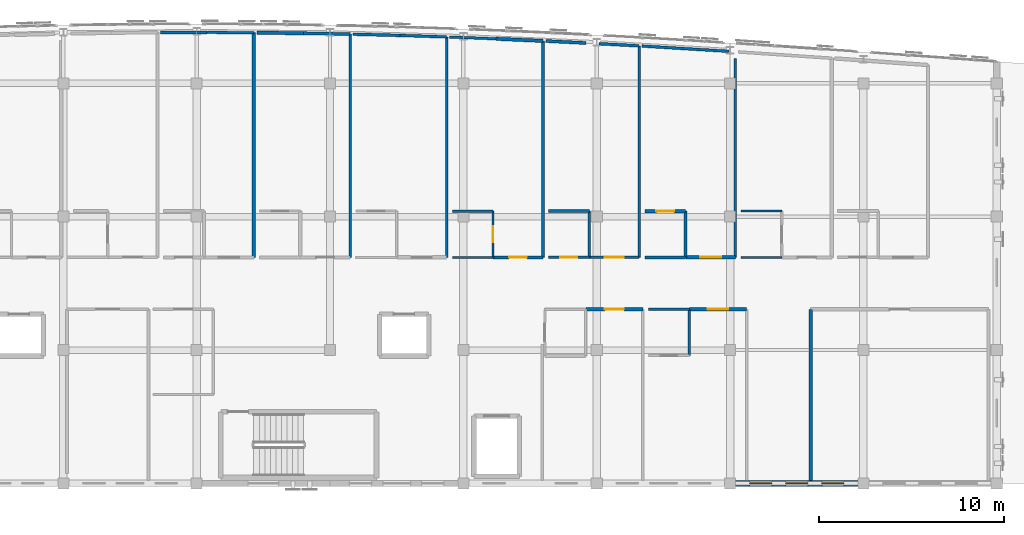
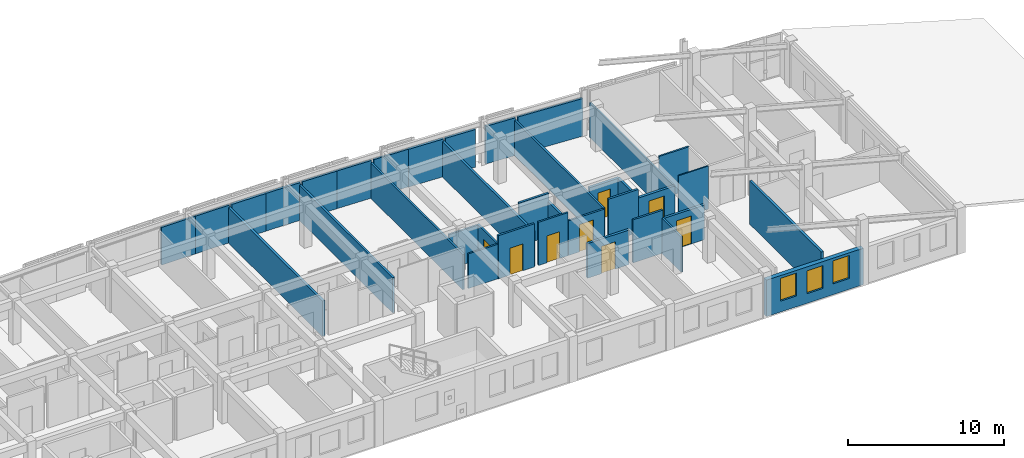
# One storey, part 36 of 41: 37 walls, 8 doors, 3 windows, 11 openings.
"""IFC4 building model written with IfcOpenShell, lengths in metres."""

from ifc_helpers import new_model, si_unit, direction, frame, frame_2d, origin, place, context, subcontext, project, spatial, rectangle, extrude, material, layer, layer_set, type_object, element, fill, save


model = new_model("IFC4")

# Units and contexts
model_context = context("Model", 3, precision=1e-05, world=origin(), true_north=direction((0.0, 1.0)))
body_context = subcontext(model_context, "Body", "Model", "MODEL_VIEW")
ifc_project = project(units=[si_unit("LENGTHUNIT", "METRE"), si_unit("AREAUNIT", "SQUARE_METRE"), si_unit("VOLUMEUNIT", "CUBIC_METRE"), si_unit("PLANEANGLEUNIT", "RADIAN"), si_unit("MASSUNIT", "GRAM", prefix="KILO")], contexts=[model_context])

# Site, building, storey
site_placement = place(None, origin())
site = spatial("IfcSite", under=ifc_project, at=site_placement, CompositionType="ELEMENT")
building_placement = place(site_placement, origin())
building = spatial("IfcBuilding", under=site, at=building_placement, Name="Carrowvane Square Congress Hotel", CompositionType="ELEMENT")
storey_placement = place(building_placement, frame((0.0, 0.0, 37.199951171875)))
storey = spatial("IfcBuildingStorey", under=building, at=storey_placement, Name="L09", CompositionType="ELEMENT", Elevation=37.199951171875)

# Wall, openings, windows
ifc_material_1 = material(Name="Glazed terracotta rainscreen", Category="masonry")
ifc_layer_1 = layer(ifc_material_1, 0.330078125)
ifc_layer_set_1 = layer_set([ifc_layer_1], Name="Glazed terracotta rainscreen")
wall_type_1 = type_object("IfcWallType", Name="WL-EXT-TC330", PredefinedType="STANDARD", material=ifc_layer_set_1)
wall_1_placement = place(storey_placement, frame((134.0, 91.800048828125, 0.0), z_axis=(0.0, 0.0, 1.0), x_axis=(-1.0, 0.0, 0.0)))
wall_1 = element("IfcWall", 1, at=wall_1_placement, inside=storey, type_object=wall_type_1, Name="L09 exterior facade wall 566", PredefinedType="STANDARD", context=body_context, shape_type="SweptSolid", body=[
    extrude(rectangle(XDim=7.199951171875, YDim=0.330078125, at=frame_2d((3.60009765625, 0.0))), origin(), (0.0, 0.0, 1.0), 2.8603515625),
])
opening_1_placement = place(wall_1_placement, frame((3.0, 0.0, 0.75)))
opening_1 = element("IfcOpeningElement", 2, at=opening_1_placement, cuts=wall_1, Name="Opening W-01", PredefinedType="OPENING", context=body_context, shape_type="SweptSolid", body=[
    extrude(rectangle(XDim=1.199951171875, YDim=1.800048828125, at=frame_2d((0.60009765625, 0.89990234375))), frame((0.0, 0.175048828125, 0.0), z_axis=(0.0, -1.0, 0.0), x_axis=(1.0, 0.0, 0.0)), (0.0, 0.0, 1.0), 0.35009765625),
])
opening_2_placement = place(wall_1_placement, frame((1.050048828125, 0.0, 0.85009765625)))
opening_2 = element("IfcOpeningElement", 3, at=opening_2_placement, cuts=wall_1, Name="Opening W-01", PredefinedType="OPENING", context=body_context, shape_type="SweptSolid", body=[
    extrude(rectangle(XDim=1.199951171875, YDim=1.800048828125, at=frame_2d((0.60009765625, 0.89990234375))), frame((0.0, 0.175048828125, 0.0), z_axis=(0.0, -1.0, 0.0), x_axis=(1.0, 0.0, 0.0)), (0.0, 0.0, 1.0), 0.35009765625),
])
opening_3_placement = place(wall_1_placement, frame((4.949951171875, 0.0, 0.85009765625)))
opening_3 = element("IfcOpeningElement", 4, at=opening_3_placement, cuts=wall_1, Name="Opening W-01", PredefinedType="OPENING", context=body_context, shape_type="SweptSolid", body=[
    extrude(rectangle(XDim=1.199951171875, YDim=1.800048828125, at=frame_2d((0.60009765625, 0.89990234375))), frame((0.0, 0.175048828125, 0.0), z_axis=(0.0, -1.0, 0.0), x_axis=(1.0, 0.0, 0.0)), (0.0, 0.0, 1.0), 0.35009765625),
])
ifc_material_2 = material(Name="Double-glazed low-E glass", Category="glass")
window_type = type_object("IfcWindowType", Name="WIN-01", PartitioningType="SINGLE_PANEL", PredefinedType="WINDOW", material=ifc_material_2)
window_1_placement = place(opening_1_placement, origin())
window_1 = element("IfcWindow", 5, at=window_1_placement, inside=storey, type_object=window_type, Name="L09 facade window 414", OverallHeight=1.800048828125, OverallWidth=1.199951171875, PartitioningType="SINGLE_PANEL", PredefinedType="WINDOW", context=body_context, shape_type="SweptSolid", body=[
    extrude(rectangle(XDim=1.199951171875, YDim=1.800048828125, at=frame_2d((0.60009765625, 0.89990234375))), frame((0.0, 0.030029296875, 0.0), z_axis=(0.0, -1.0, 0.0), x_axis=(1.0, 0.0, 0.0)), (0.0, 0.0, 1.0), 0.06005859375),
])
fill(opening_1, window_1)
window_2_placement = place(opening_2_placement, origin())
window_2 = element("IfcWindow", 6, at=window_2_placement, inside=storey, type_object=window_type, Name="L09 guest bedroom window 415", OverallHeight=1.800048828125, OverallWidth=1.199951171875, PartitioningType="SINGLE_PANEL", PredefinedType="WINDOW", context=body_context, shape_type="SweptSolid", body=[
    extrude(rectangle(XDim=1.199951171875, YDim=1.800048828125, at=frame_2d((0.60009765625, 0.89990234375))), frame((0.0, 0.030029296875, 0.0), z_axis=(0.0, -1.0, 0.0), x_axis=(1.0, 0.0, 0.0)), (0.0, 0.0, 1.0), 0.06005859375),
])
fill(opening_2, window_2)
window_3_placement = place(opening_3_placement, origin())
window_3 = element("IfcWindow", 7, at=window_3_placement, inside=storey, type_object=window_type, Name="L09 guest bedroom window 416", OverallHeight=1.800048828125, OverallWidth=1.199951171875, PartitioningType="SINGLE_PANEL", PredefinedType="WINDOW", context=body_context, shape_type="SweptSolid", body=[
    extrude(rectangle(XDim=1.199951171875, YDim=1.800048828125, at=frame_2d((0.60009765625, 0.89990234375))), frame((0.0, 0.030029296875, 0.0), z_axis=(0.0, -1.0, 0.0), x_axis=(1.0, 0.0, 0.0)), (0.0, 0.0, 1.0), 0.06005859375),
])
fill(opening_3, window_3)

# Walls
ifc_material_3 = material(Name="Acoustic gypsum board", Category="gypsum")
ifc_layer_2 = layer(ifc_material_3, 0.155029296875)
ifc_layer_set_2 = layer_set([ifc_layer_2], Name="Acoustic gypsum board")
wall_type_2 = type_object("IfcWallType", Name="WL-FIR-155", PredefinedType="PARTITIONING", material=ifc_layer_set_2)
wall_2_placement = place(storey_placement, frame((106.2900390625, 116.05517578125, 0.0), z_axis=(0.0, 0.0, 1.0), x_axis=(0.0, -1.0, 0.0)))
element("IfcWall", 8, at=wall_2_placement, inside=storey, type_object=wall_type_2, Name="L09 Parkview Guest Bedroom 0917 partition", PredefinedType="PARTITIONING", context=body_context, shape_type="SweptSolid", body=[
    extrude(rectangle(XDim=12.05517578125, YDim=0.155029296875, at=frame_2d((6.027587890625, 0.0))), origin(), (0.0, 0.0, 1.0), 2.76513671875),
])
wall_3_placement = place(storey_placement, frame((106.449951171875, 116.051513671875, 0.0), z_axis=(0.0, 0.0, 1.0), x_axis=(0.99966561488, -0.025858430457, 0.0)))
element("IfcWall", 9, at=wall_3_placement, inside=storey, type_object=wall_type_2, Name="L09 Parkview Guest Bedroom 0918 partition", PredefinedType="PARTITIONING", context=body_context, shape_type="SweptSolid", body=[
    extrude(rectangle(XDim=2.520751953125, YDim=0.155029296875, at=frame_2d((1.26025390625, 0.0))), origin(), (0.0, 0.0, 1.0), 2.95556640625),
])

# Wall, opening, door
wall_4_placement = place(storey_placement, frame((116.68994140625, 104.0, 0.0), z_axis=(0.0, 0.0, 1.0), x_axis=(-1.0, 0.0, 0.0)))
wall_4 = element("IfcWall", 10, at=wall_4_placement, inside=storey, type_object=wall_type_2, Name="L09 Parkview Guest Bedroom 0919 partition", PredefinedType="PARTITIONING", context=body_context, shape_type="SweptSolid", body=[
    extrude(rectangle(XDim=2.679931640625, YDim=0.155029296875, at=frame_2d((1.33984375, 0.0))), origin(), (0.0, 0.0, 1.0), 3.380126953125),
])
opening_4_placement = place(wall_4_placement, frame((0.864990234375, 0.0, 0.0)))
opening_4 = element("IfcOpeningElement", 11, at=opening_4_placement, cuts=wall_4, Name="Opening FD-06", PredefinedType="OPENING", context=body_context, shape_type="SweptSolid", body=[
    extrude(rectangle(XDim=0.949951171875, YDim=2.10009765625, at=frame_2d((0.47509765625, 1.050048828125))), frame((0.0, 0.08740234375, 0.0), z_axis=(0.0, -1.0, 0.0), x_axis=(1.0, 0.0, 0.0)), (0.0, 0.0, 1.0), 0.175048828125),
])
ifc_material_4 = material(Name="European oak timber", Category="wood")
door_type_1 = type_object("IfcDoorType", Name="DR-FD30-0950x2100", OperationType="NOTDEFINED", PredefinedType="DOOR", material=ifc_material_4)
door_1_placement = place(opening_4_placement, origin())
door_1 = element("IfcDoor", 12, at=door_1_placement, inside=storey, type_object=door_type_1, Name="L09 Parkview Guest Bedroom 0919 entrance door", OperationType="SINGLE_SWING_RIGHT", OverallHeight=2.10009765625, OverallWidth=0.949951171875, PredefinedType="DOOR", context=body_context, shape_type="SweptSolid", body=[
    extrude(rectangle(XDim=0.949951171875, YDim=2.10009765625, at=frame_2d((0.47509765625, 1.050048828125))), frame((0.0, 0.02490234375, 0.0), z_axis=(0.0, -1.0, 0.0), x_axis=(1.0, 0.0, 0.0)), (0.0, 0.0, 1.0), 0.050048828125),
])
fill(opening_4, door_1)

# Walls
wall_5_placement = place(storey_placement, frame((117.0, 106.5, 0.0), z_axis=(0.0, 0.0, 1.0), x_axis=(1.0, 0.0, 0.0)))
element("IfcWall", 13, at=wall_5_placement, inside=storey, type_object=wall_type_2, Name="L09 En-suite Bathroom 0920 partition", PredefinedType="PARTITIONING", context=body_context, shape_type="SweptSolid", body=[
    extrude(rectangle(XDim=2.199951171875, YDim=0.155029296875, at=frame_2d((1.10009765625, 0.0))), origin(), (0.0, 0.0, 1.0), 3.380126953125),
])
wall_6_placement = place(storey_placement, frame((119.7294921875, 115.53955078125, 0.0), z_axis=(0.0, 0.0, 1.0), x_axis=(0.99851983335, -0.054388807738, 0.0)))
element("IfcWall", 14, at=wall_6_placement, inside=storey, type_object=wall_type_2, Name="L09 Parkview Guest Bedroom 0920 partition", PredefinedType="PARTITIONING", context=body_context, shape_type="SweptSolid", body=[
    extrude(rectangle(XDim=2.16357421875, YDim=0.155029296875, at=frame_2d((1.081787109375, 0.0))), origin(), (0.0, 0.0, 1.0), 2.95556640625),
])
wall_7_placement = place(storey_placement, frame((124.39990234375, 104.0, 0.0), z_axis=(0.0, 0.0, 1.0), x_axis=(-1.0, 0.0, 0.0)))
element("IfcWall", 15, at=wall_7_placement, inside=storey, type_object=wall_type_2, Name="L09 En-suite Bathroom 0921 partition", PredefinedType="PARTITIONING", context=body_context, shape_type="SweptSolid", body=[
    extrude(rectangle(XDim=2.199951171875, YDim=0.155029296875, at=frame_2d((1.10009765625, 0.0))), origin(), (0.0, 0.0, 1.0), 3.380126953125),
])
ifc_material_5 = material(Name="Acoustic gypsum board", Category="gypsum")
ifc_layer_3 = layer(ifc_material_5, 0.169921875)
ifc_layer_set_3 = layer_set([ifc_layer_3], Name="Acoustic gypsum board")
wall_type_3 = type_object("IfcWallType", Name="WL-FIR-170", PredefinedType="PARTITIONING", material=ifc_layer_set_3)
wall_8_placement = place(storey_placement, frame((103.77001953125, 116.10302734375, 0.0), z_axis=(0.0, 0.0, 1.0), x_axis=(0.999819765879, -0.018985145719, 0.0)))
element("IfcWall", 16, at=wall_8_placement, inside=storey, type_object=wall_type_3, Name="L09 Parkview Guest Bedroom 0917 partition", PredefinedType="PARTITIONING", context=body_context, shape_type="SweptSolid", body=[
    extrude(rectangle(XDim=2.5205078125, YDim=0.169921875, at=frame_2d((1.26025390625, 0.0))), origin(), (0.0, 0.0, 1.0), 2.95556640625),
])
wall_9_placement = place(storey_placement, frame((116.68994140625, 115.691650390625, 0.0), z_axis=(0.0, 0.0, 1.0), x_axis=(0.0, -1.0, 0.0)))
element("IfcWall", 17, at=wall_9_placement, inside=storey, type_object=wall_type_3, Name="L09 Parkview Guest Bedroom 0919 partition", PredefinedType="PARTITIONING", context=body_context, shape_type="SweptSolid", body=[
    extrude(rectangle(XDim=11.691650390625, YDim=0.169921875, at=frame_2d((5.845703125, 0.0))), origin(), (0.0, 0.0, 1.0), 2.76513671875),
])
wall_10_placement = place(storey_placement, frame((116.85009765625, 115.684326171875, 0.0), z_axis=(0.0, 0.0, 1.0), x_axis=(0.998771684577, -0.049549188556, 0.0)))
element("IfcWall", 18, at=wall_10_placement, inside=storey, type_object=wall_type_3, Name="L09 Parkview Guest Bedroom 0920 partition", PredefinedType="PARTITIONING", context=body_context, shape_type="SweptSolid", body=[
    extrude(rectangle(XDim=2.1630859375, YDim=0.169921875, at=frame_2d((1.08154296875, 0.0))), origin(), (0.0, 0.0, 1.0), 2.95556640625),
])
wall_11_placement = place(storey_placement, frame((124.39990234375, 106.5, 0.0), z_axis=(0.0, 0.0, 1.0), x_axis=(0.0, -1.0, 0.0)))
element("IfcWall", 19, at=wall_11_placement, inside=storey, type_object=wall_type_3, Name="L09 En-suite Bathroom 0921 partition", PredefinedType="PARTITIONING", context=body_context, shape_type="SweptSolid", body=[
    extrude(rectangle(XDim=2.5, YDim=0.169921875, at=frame_2d((1.25, 0.0))), origin(), (0.0, 0.0, 1.0), 2.76513671875),
])
ifc_material_6 = material(Name="Acoustic gypsum board", Category="gypsum")
ifc_layer_4 = layer(ifc_material_6, 0.18505859375)
ifc_layer_set_4 = layer_set([ifc_layer_4], Name="Acoustic gypsum board")
wall_type_4 = type_object("IfcWallType", Name="WL-FIR-185", PredefinedType="PARTITIONING", material=ifc_layer_set_4)
wall_12_placement = place(storey_placement, frame((131.14990234375, 91.9599609375, 0.0), z_axis=(0.0, 0.0, 1.0), x_axis=(0.0, 1.0, 0.0)))
element("IfcWall", 20, at=wall_12_placement, inside=storey, type_object=wall_type_4, Name="L09 L09 East Terrace Bar partition", PredefinedType="PARTITIONING", context=body_context, shape_type="SweptSolid", body=[
    extrude(rectangle(XDim=9.239990234375, YDim=0.18505859375, at=frame_2d((4.6201171875, 0.0))), origin(), (0.0, 0.0, 1.0), 3.380126953125),
])

# Wall, opening, door
wall_13_placement = place(storey_placement, frame((119.010009765625, 101.199951171875, 0.0), z_axis=(0.0, 0.0, 1.0), x_axis=(1.0, 0.0, 0.0)))
wall_13 = element("IfcWall", 21, at=wall_13_placement, inside=storey, type_object=wall_type_4, Name="L09 Hotel Suite 0905 partition", PredefinedType="PARTITIONING", context=body_context, shape_type="SweptSolid", body=[
    extrude(rectangle(XDim=3.080078125, YDim=0.18505859375, at=frame_2d((1.5400390625, 0.0))), origin(), (0.0, 0.0, 1.0), 2.715087890625),
])
opening_5_placement = place(wall_13_placement, frame((1.030029296875, 0.0, 0.0)))
opening_5 = element("IfcOpeningElement", 22, at=opening_5_placement, cuts=wall_13, Name="Opening FD-08", PredefinedType="OPENING", context=body_context, shape_type="SweptSolid", body=[
    extrude(rectangle(XDim=1.02001953125, YDim=2.14990234375, at=frame_2d((0.510009765625, 1.074951171875))), frame((0.0, 0.1025390625, 0.0), z_axis=(0.0, -1.0, 0.0), x_axis=(1.0, 0.0, 0.0)), (0.0, 0.0, 1.0), 0.205078125),
])
ifc_material_7 = material(Name="European oak timber", Category="wood")
door_type_2 = type_object("IfcDoorType", Name="DR-FD30-1020x2150", OperationType="NOTDEFINED", PredefinedType="DOOR", material=ifc_material_7)
door_2_placement = place(opening_5_placement, origin())
door_2 = element("IfcDoor", 23, at=door_2_placement, inside=storey, type_object=door_type_2, Name="L09 Hotel Suite 0905 entrance door", OperationType="SINGLE_SWING_RIGHT", OverallHeight=2.14990234375, OverallWidth=1.02001953125, PredefinedType="DOOR", context=body_context, shape_type="SweptSolid", body=[
    extrude(rectangle(XDim=1.02001953125, YDim=2.14990234375, at=frame_2d((0.510009765625, 1.074951171875))), frame((0.0, 0.02490234375, 0.0), z_axis=(0.0, -1.0, 0.0), x_axis=(1.0, 0.0, 0.0)), (0.0, 0.0, 1.0), 0.050048828125),
])
fill(opening_5, door_2)

wall_14_placement = place(storey_placement, frame((124.610107421875, 101.199951171875, 0.0), z_axis=(0.0, 0.0, 1.0), x_axis=(1.0, 0.0, 0.0)))
wall_14 = element("IfcWall", 24, at=wall_14_placement, inside=storey, type_object=wall_type_4, Name="L09 Hotel Suite 0906 partition", PredefinedType="PARTITIONING", context=body_context, shape_type="SweptSolid", body=[
    extrude(rectangle(XDim=3.079833984375, YDim=0.18505859375, at=frame_2d((1.5400390625, 0.0))), origin(), (0.0, 0.0, 1.0), 2.715087890625),
])
opening_6_placement = place(wall_14_placement, frame((0.97998046875, 0.0, 0.0)))
opening_6 = element("IfcOpeningElement", 25, at=opening_6_placement, cuts=wall_14, Name="Opening FD-10", PredefinedType="OPENING", context=body_context, shape_type="SweptSolid", body=[
    extrude(rectangle(XDim=1.1201171875, YDim=2.199951171875, at=frame_2d((0.56005859375, 1.10009765625))), frame((0.0, 0.1025390625, 0.0), z_axis=(0.0, -1.0, 0.0), x_axis=(1.0, 0.0, 0.0)), (0.0, 0.0, 1.0), 0.205078125),
])
ifc_material_8 = material(Name="European oak timber", Category="wood")
door_type_3 = type_object("IfcDoorType", Name="DR-FD30-1120x2200", OperationType="NOTDEFINED", PredefinedType="DOOR", material=ifc_material_8)
door_3_placement = place(opening_6_placement, origin())
door_3 = element("IfcDoor", 26, at=door_3_placement, inside=storey, type_object=door_type_3, Name="L09 Hotel Suite 0906 entrance door", OperationType="SINGLE_SWING_RIGHT", OverallHeight=2.199951171875, OverallWidth=1.1201171875, PredefinedType="DOOR", context=body_context, shape_type="SweptSolid", body=[
    extrude(rectangle(XDim=1.1201171875, YDim=2.199951171875, at=frame_2d((0.56005859375, 1.10009765625))), frame((0.0, 0.02490234375, 0.0), z_axis=(0.0, -1.0, 0.0), x_axis=(1.0, 0.0, 0.0)), (0.0, 0.0, 1.0), 0.050048828125),
])
fill(opening_6, door_3)

# Walls
wall_15_placement = place(storey_placement, frame((101.090087890625, 116.135498046875, 0.0), z_axis=(0.0, 0.0, 1.0), x_axis=(0.0, -1.0, 0.0)))
element("IfcWall", 27, at=wall_15_placement, inside=storey, type_object=wall_type_4, Name="L09 Parkview Guest Bedroom 0916 partition", PredefinedType="PARTITIONING", context=body_context, shape_type="SweptSolid", body=[
    extrude(rectangle(XDim=12.135498046875, YDim=0.18505859375, at=frame_2d((6.06787109375, 0.0))), origin(), (0.0, 0.0, 1.0), 2.76513671875),
])
wall_16_placement = place(storey_placement, frame((101.25, 116.1337890625, 0.0), z_axis=(0.0, 0.0, 1.0), x_axis=(0.999925503674, -0.012206027268, 0.0)))
element("IfcWall", 28, at=wall_16_placement, inside=storey, type_object=wall_type_4, Name="L09 Parkview Guest Bedroom 0917 partition", PredefinedType="PARTITIONING", context=body_context, shape_type="SweptSolid", body=[
    extrude(rectangle(XDim=2.520263671875, YDim=0.18505859375, at=frame_2d((1.26025390625, 0.0))), origin(), (0.0, 0.0, 1.0), 2.95556640625),
])
wall_17_placement = place(storey_placement, frame((114.169921875, 115.802978515625, 0.0), z_axis=(0.0, 0.0, 1.0), x_axis=(0.999025600943, -0.044134438484, 0.0)))
element("IfcWall", 29, at=wall_17_placement, inside=storey, type_object=wall_type_4, Name="L09 Parkview Guest Bedroom 0919 partition", PredefinedType="PARTITIONING", context=body_context, shape_type="SweptSolid", body=[
    extrude(rectangle(XDim=2.5224609375, YDim=0.18505859375, at=frame_2d((1.26123046875, 0.0))), origin(), (0.0, 0.0, 1.0), 2.95556640625),
])

# Wall, opening, door
wall_18_placement = place(storey_placement, frame((122.199951171875, 106.5, 0.0), z_axis=(0.0, 0.0, 1.0), x_axis=(1.0, 0.0, 0.0)))
wall_18 = element("IfcWall", 30, at=wall_18_placement, inside=storey, type_object=wall_type_4, Name="L09 En-suite Bathroom 0921 partition", PredefinedType="PARTITIONING", context=body_context, shape_type="SweptSolid", body=[
    extrude(rectangle(XDim=2.199951171875, YDim=0.18505859375, at=frame_2d((1.10009765625, 0.0))), origin(), (0.0, 0.0, 1.0), 2.76513671875),
])
opening_7_placement = place(wall_18_placement, frame((0.6201171875, 0.0, 0.0)))
opening_7 = element("IfcOpeningElement", 31, at=opening_7_placement, cuts=wall_18, Name="Opening ID-05", PredefinedType="OPENING", context=body_context, shape_type="SweptSolid", body=[
    extrude(rectangle(XDim=0.9599609375, YDim=2.139892578125, at=frame_2d((0.47998046875, 1.06982421875))), frame((0.0, 0.1025390625, 0.0), z_axis=(0.0, -1.0, 0.0), x_axis=(1.0, 0.0, 0.0)), (0.0, 0.0, 1.0), 0.205078125),
])
ifc_material_9 = material(Name="European oak timber", Category="wood")
door_type_4 = type_object("IfcDoorType", Name="DR-INT-0960x2140", OperationType="NOTDEFINED", PredefinedType="DOOR", material=ifc_material_9)
door_4_placement = place(opening_7_placement, origin())
door_4 = element("IfcDoor", 32, at=door_4_placement, inside=storey, type_object=door_type_4, Name="L09 En-suite Bathroom 0921 door", OperationType="SINGLE_SWING_LEFT", OverallHeight=2.139892578125, OverallWidth=0.9599609375, PredefinedType="DOOR", context=body_context, shape_type="SweptSolid", body=[
    extrude(rectangle(XDim=0.9599609375, YDim=2.139892578125, at=frame_2d((0.47998046875, 1.06982421875))), frame((0.0, 0.02490234375, 0.0), z_axis=(0.0, -1.0, 0.0), x_axis=(1.0, 0.0, 0.0)), (0.0, 0.0, 1.0), 0.050048828125),
])
fill(opening_7, door_4)

wall_19_placement = place(storey_placement, frame((127.090087890625, 104.0, 0.0), z_axis=(0.0, 0.0, 1.0), x_axis=(-1.0, 0.0, 0.0)))
wall_19 = element("IfcWall", 33, at=wall_19_placement, inside=storey, type_object=wall_type_4, Name="L09 Parkview Guest Bedroom 0921 partition", PredefinedType="PARTITIONING", context=body_context, shape_type="SweptSolid", body=[
    extrude(rectangle(XDim=2.68017578125, YDim=0.18505859375, at=frame_2d((1.340087890625, 0.0))), origin(), (0.0, 0.0, 1.0), 2.715087890625),
])
opening_8_placement = place(wall_19_placement, frame((0.780029296875, 0.0, 0.0)))
opening_8 = element("IfcOpeningElement", 34, at=opening_8_placement, cuts=wall_19, Name="Opening FD-10", PredefinedType="OPENING", context=body_context, shape_type="SweptSolid", body=[
    extrude(rectangle(XDim=1.1201171875, YDim=2.199951171875, at=frame_2d((0.56005859375, 1.10009765625))), frame((0.0, 0.1025390625, 0.0), z_axis=(0.0, -1.0, 0.0), x_axis=(1.0, 0.0, 0.0)), (0.0, 0.0, 1.0), 0.205078125),
])
door_5_placement = place(opening_8_placement, origin())
door_5 = element("IfcDoor", 35, at=door_5_placement, inside=storey, type_object=door_type_3, Name="L09 Parkview Guest Bedroom 0921 entrance door", OperationType="SINGLE_SWING_RIGHT", OverallHeight=2.199951171875, OverallWidth=1.1201171875, PredefinedType="DOOR", context=body_context, shape_type="SweptSolid", body=[
    extrude(rectangle(XDim=1.1201171875, YDim=2.199951171875, at=frame_2d((0.56005859375, 1.10009765625))), frame((0.0, 0.02490234375, 0.0), z_axis=(0.0, -1.0, 0.0), x_axis=(1.0, 0.0, 0.0)), (0.0, 0.0, 1.0), 0.050048828125),
])
fill(opening_8, door_5)

# Walls
ifc_material_10 = material(Name="Acoustic gypsum board", Category="gypsum")
ifc_layer_5 = layer(ifc_material_10, 0.097900390625)
ifc_layer_set_5 = layer_set([ifc_layer_5], Name="Acoustic gypsum board")
wall_type_5 = type_object("IfcWallType", Name="WL-PRT-098", PredefinedType="PARTITIONING", material=ifc_layer_set_5)
wall_20_placement = place(storey_placement, frame((129.60009765625, 104.0, 0.0), z_axis=(0.0, 0.0, 1.0), x_axis=(-1.0, 0.0, 0.0)))
element("IfcWall", 36, at=wall_20_placement, inside=storey, type_object=wall_type_5, Name="L09 En-suite Bathroom 0922 partition", PredefinedType="PARTITIONING", context=body_context, shape_type="SweptSolid", body=[
    extrude(rectangle(XDim=2.2001953125, YDim=0.097900390625, at=frame_2d((1.10009765625, 0.0))), origin(), (0.0, 0.0, 1.0), 3.380126953125),
])
ifc_material_11 = material(Name="Acoustic gypsum board", Category="gypsum")
ifc_layer_6 = layer(ifc_material_11, 0.117919921875)
ifc_layer_set_6 = layer_set([ifc_layer_6], Name="Acoustic gypsum board")
wall_type_6 = type_object("IfcWallType", Name="WL-PRT-118", PredefinedType="PARTITIONING", material=ifc_layer_set_6)
wall_21_placement = place(storey_placement, frame((114.0, 104.0, 0.0), z_axis=(0.0, 0.0, 1.0), x_axis=(-1.0, 0.0, 0.0)))
element("IfcWall", 37, at=wall_21_placement, inside=storey, type_object=wall_type_6, Name="L09 En-suite Bathroom 0919 partition", PredefinedType="PARTITIONING", context=body_context, shape_type="SweptSolid", body=[
    extrude(rectangle(XDim=2.199951171875, YDim=0.117919921875, at=frame_2d((1.10009765625, 0.0))), origin(), (0.0, 0.0, 1.0), 2.715087890625),
])
wall_22_placement = place(storey_placement, frame((127.39990234375, 106.5, 0.0), z_axis=(0.0, 0.0, 1.0), x_axis=(1.0, 0.0, 0.0)))
element("IfcWall", 38, at=wall_22_placement, inside=storey, type_object=wall_type_6, Name="L09 En-suite Bathroom 0922 partition", PredefinedType="PARTITIONING", context=body_context, shape_type="SweptSolid", body=[
    extrude(rectangle(XDim=2.2001953125, YDim=0.117919921875, at=frame_2d((1.10009765625, 0.0))), origin(), (0.0, 0.0, 1.0), 3.380126953125),
])
ifc_material_12 = material(Name="Acoustic gypsum board", Category="gypsum")
ifc_layer_7 = layer(ifc_material_12, 0.1279296875)
ifc_layer_set_7 = layer_set([ifc_layer_7], Name="Acoustic gypsum board")
wall_type_7 = type_object("IfcWallType", Name="WL-PRT-128", PredefinedType="PARTITIONING", material=ifc_layer_set_7)
wall_23_placement = place(storey_placement, frame((124.60009765625, 101.199951171875, 0.0), z_axis=(0.0, 0.0, 1.0), x_axis=(0.0, -1.0, 0.0)))
element("IfcWall", 39, at=wall_23_placement, inside=storey, type_object=wall_type_7, Name="L09 En-suite Bathroom 0906 partition", PredefinedType="PARTITIONING", context=body_context, shape_type="SweptSolid", body=[
    extrude(rectangle(XDim=2.5, YDim=0.1279296875, at=frame_2d((1.25, 0.0))), origin(), (0.0, 0.0, 1.0), 2.76513671875),
])

# Wall, opening, door
wall_24_placement = place(storey_placement, frame((114.0, 106.5, 0.0), z_axis=(0.0, 0.0, 1.0), x_axis=(0.0, -1.0, 0.0)))
wall_24 = element("IfcWall", 40, at=wall_24_placement, inside=storey, type_object=wall_type_7, Name="L09 En-suite Bathroom 0919 partition", PredefinedType="PARTITIONING", context=body_context, shape_type="SweptSolid", body=[
    extrude(rectangle(XDim=2.5, YDim=0.1279296875, at=frame_2d((1.25, 0.0))), origin(), (0.0, 0.0, 1.0), 2.76513671875),
])
opening_9_placement = place(wall_24_placement, frame((0.81005859375, 0.0, 0.0)))
opening_9 = element("IfcOpeningElement", 41, at=opening_9_placement, cuts=wall_24, Name="Opening ID-01", PredefinedType="OPENING", context=body_context, shape_type="SweptSolid", body=[
    extrude(rectangle(XDim=0.8798828125, YDim=2.06005859375, at=frame_2d((0.43994140625, 1.030029296875))), frame((0.0, 0.073974609375, 0.0), z_axis=(0.0, -1.0, 0.0), x_axis=(1.0, 0.0, 0.0)), (0.0, 0.0, 1.0), 0.14794921875),
])
ifc_material_13 = material(Name="European oak timber", Category="wood")
door_type_5 = type_object("IfcDoorType", Name="DR-INT-0880x2060", OperationType="NOTDEFINED", PredefinedType="DOOR", material=ifc_material_13)
door_6_placement = place(opening_9_placement, origin())
door_6 = element("IfcDoor", 42, at=door_6_placement, inside=storey, type_object=door_type_5, Name="L09 En-suite Bathroom 0919 door", OperationType="SINGLE_SWING_LEFT", OverallHeight=2.06005859375, OverallWidth=0.8798828125, PredefinedType="DOOR", context=body_context, shape_type="SweptSolid", body=[
    extrude(rectangle(XDim=0.8798828125, YDim=2.06005859375, at=frame_2d((0.43994140625, 1.030029296875))), frame((0.0, 0.02490234375, 0.0), z_axis=(0.0, -1.0, 0.0), x_axis=(1.0, 0.0, 0.0)), (0.0, 0.0, 1.0), 0.050048828125),
])
fill(opening_9, door_6)

# Walls
ifc_material_14 = material(Name="Acoustic gypsum board", Category="gypsum")
ifc_layer_8 = layer(ifc_material_14, 0.137939453125)
ifc_layer_set_8 = layer_set([ifc_layer_8], Name="Acoustic gypsum board")
wall_type_8 = type_object("IfcWallType", Name="WL-PRT-138", PredefinedType="PARTITIONING", material=ifc_layer_set_8)
wall_25_placement = place(storey_placement, frame((122.39990234375, 101.199951171875, 0.0), z_axis=(0.0, 0.0, 1.0), x_axis=(1.0, 0.0, 0.0)))
element("IfcWall", 43, at=wall_25_placement, inside=storey, type_object=wall_type_8, Name="L09 En-suite Bathroom 0906 partition", PredefinedType="PARTITIONING", context=body_context, shape_type="SweptSolid", body=[
    extrude(rectangle(XDim=2.2001953125, YDim=0.137939453125, at=frame_2d((1.10009765625, 0.0))), origin(), (0.0, 0.0, 1.0), 3.380126953125),
])
wall_26_placement = place(storey_placement, frame((98.570068359375, 116.148193359375, 0.0), z_axis=(0.0, 0.0, 1.0), x_axis=(0.999987310611, -0.005037719449, 0.0)))
element("IfcWall", 44, at=wall_26_placement, inside=storey, type_object=wall_type_8, Name="L09 Parkview Guest Bedroom 0916 partition", PredefinedType="PARTITIONING", context=body_context, shape_type="SweptSolid", body=[
    extrude(rectangle(XDim=2.52001953125, YDim=0.137939453125, at=frame_2d((1.260009765625, 0.0))), origin(), (0.0, 0.0, 1.0), 2.95556640625),
])
wall_27_placement = place(storey_placement, frame((111.489990234375, 115.905517578125, 0.0), z_axis=(0.0, 0.0, 1.0), x_axis=(0.0, -1.0, 0.0)))
element("IfcWall", 45, at=wall_27_placement, inside=storey, type_object=wall_type_8, Name="L09 Parkview Guest Bedroom 0918 partition", PredefinedType="PARTITIONING", context=body_context, shape_type="SweptSolid", body=[
    extrude(rectangle(XDim=11.905517578125, YDim=0.137939453125, at=frame_2d((5.95263671875, 0.0))), origin(), (0.0, 0.0, 1.0), 2.76513671875),
])
wall_28_placement = place(storey_placement, frame((111.800048828125, 106.5, 0.0), z_axis=(0.0, 0.0, 1.0), x_axis=(1.0, 0.0, 0.0)))
element("IfcWall", 46, at=wall_28_placement, inside=storey, type_object=wall_type_8, Name="L09 En-suite Bathroom 0919 partition", PredefinedType="PARTITIONING", context=body_context, shape_type="SweptSolid", body=[
    extrude(rectangle(XDim=2.199951171875, YDim=0.137939453125, at=frame_2d((1.10009765625, 0.0))), origin(), (0.0, 0.0, 1.0), 2.715087890625),
])
wall_29_placement = place(storey_placement, frame((111.64990234375, 115.89990234375, 0.0), z_axis=(0.0, 0.0, 1.0), x_axis=(0.999261174631, -0.038433122101, 0.0)))
element("IfcWall", 47, at=wall_29_placement, inside=storey, type_object=wall_type_8, Name="L09 Parkview Guest Bedroom 0919 partition", PredefinedType="PARTITIONING", context=body_context, shape_type="SweptSolid", body=[
    extrude(rectangle(XDim=2.52197265625, YDim=0.137939453125, at=frame_2d((1.260986328125, 0.0))), origin(), (0.0, 0.0, 1.0), 2.95556640625),
])

# Wall, opening, door
wall_30_placement = place(storey_placement, frame((119.199951171875, 104.0, 0.0), z_axis=(0.0, 0.0, 1.0), x_axis=(-1.0, 0.0, 0.0)))
wall_30 = element("IfcWall", 48, at=wall_30_placement, inside=storey, type_object=wall_type_8, Name="L09 En-suite Bathroom 0920 partition", PredefinedType="PARTITIONING", context=body_context, shape_type="SweptSolid", body=[
    extrude(rectangle(XDim=2.199951171875, YDim=0.137939453125, at=frame_2d((1.10009765625, 0.0))), origin(), (0.0, 0.0, 1.0), 3.380126953125),
])
opening_10_placement = place(wall_30_placement, frame((0.639892578125, 0.0, 0.0)))
opening_10 = element("IfcOpeningElement", 49, at=opening_10_placement, cuts=wall_30, Name="Opening ID-03", PredefinedType="OPENING", context=body_context, shape_type="SweptSolid", body=[
    extrude(rectangle(XDim=0.919921875, YDim=2.10009765625, at=frame_2d((0.4599609375, 1.050048828125))), frame((0.0, 0.078857421875, 0.0), z_axis=(0.0, -1.0, 0.0), x_axis=(1.0, 0.0, 0.0)), (0.0, 0.0, 1.0), 0.157958984375),
])
ifc_material_15 = material(Name="European oak timber", Category="wood")
door_type_6 = type_object("IfcDoorType", Name="DR-INT-0920x2100", OperationType="NOTDEFINED", PredefinedType="DOOR", material=ifc_material_15)
door_7_placement = place(opening_10_placement, origin())
door_7 = element("IfcDoor", 50, at=door_7_placement, inside=storey, type_object=door_type_6, Name="L09 En-suite Bathroom 0920 door", OperationType="SINGLE_SWING_LEFT", OverallHeight=2.10009765625, OverallWidth=0.919921875, PredefinedType="DOOR", context=body_context, shape_type="SweptSolid", body=[
    extrude(rectangle(XDim=0.919921875, YDim=2.10009765625, at=frame_2d((0.4599609375, 1.050048828125))), frame((0.0, 0.02490234375, 0.0), z_axis=(0.0, -1.0, 0.0), x_axis=(1.0, 0.0, 0.0)), (0.0, 0.0, 1.0), 0.050048828125),
])
fill(opening_10, door_7)

wall_31_placement = place(storey_placement, frame((121.889892578125, 104.0, 0.0), z_axis=(0.0, 0.0, 1.0), x_axis=(-1.0, 0.0, 0.0)))
wall_31 = element("IfcWall", 51, at=wall_31_placement, inside=storey, type_object=wall_type_8, Name="L09 Parkview Guest Bedroom 0920 partition", PredefinedType="PARTITIONING", context=body_context, shape_type="SweptSolid", body=[
    extrude(rectangle(XDim=2.679931640625, YDim=0.137939453125, at=frame_2d((1.33984375, 0.0))), origin(), (0.0, 0.0, 1.0), 2.715087890625),
])
opening_11_placement = place(wall_31_placement, frame((0.830078125, 0.0, 0.0)))
opening_11 = element("IfcOpeningElement", 52, at=opening_11_placement, cuts=wall_31, Name="Opening FD-08", PredefinedType="OPENING", context=body_context, shape_type="SweptSolid", body=[
    extrude(rectangle(XDim=1.02001953125, YDim=2.14990234375, at=frame_2d((0.510009765625, 1.074951171875))), frame((0.0, 0.078857421875, 0.0), z_axis=(0.0, -1.0, 0.0), x_axis=(1.0, 0.0, 0.0)), (0.0, 0.0, 1.0), 0.157958984375),
])
door_8_placement = place(opening_11_placement, origin())
door_8 = element("IfcDoor", 53, at=door_8_placement, inside=storey, type_object=door_type_2, Name="L09 Parkview Guest Bedroom 0920 entrance door", OperationType="SINGLE_SWING_RIGHT", OverallHeight=2.14990234375, OverallWidth=1.02001953125, PredefinedType="DOOR", context=body_context, shape_type="SweptSolid", body=[
    extrude(rectangle(XDim=1.02001953125, YDim=2.14990234375, at=frame_2d((0.510009765625, 1.074951171875))), frame((0.0, 0.02490234375, 0.0), z_axis=(0.0, -1.0, 0.0), x_axis=(1.0, 0.0, 0.0)), (0.0, 0.0, 1.0), 0.050048828125),
])
fill(opening_11, door_8)

# Walls
wall_32_placement = place(storey_placement, frame((127.090087890625, 114.745361328125, 0.0), z_axis=(0.0, 0.0, 1.0), x_axis=(0.0, -1.0, 0.0)))
element("IfcWall", 54, at=wall_32_placement, inside=storey, type_object=wall_type_8, Name="L09 Parkview Guest Bedroom 0921 partition", PredefinedType="PARTITIONING", context=body_context, shape_type="SweptSolid", body=[
    extrude(rectangle(XDim=10.745361328125, YDim=0.137939453125, at=frame_2d((5.37255859375, 0.0))), origin(), (0.0, 0.0, 1.0), 2.715087890625),
])
ifc_material_16 = material(Name="Acoustic gypsum board", Category="gypsum")
ifc_layer_9 = layer(ifc_material_16, 0.14794921875)
ifc_layer_set_9 = layer_set([ifc_layer_9], Name="Acoustic gypsum board")
wall_type_9 = type_object("IfcWallType", Name="WL-PRT-148", PredefinedType="PARTITIONING", material=ifc_layer_set_9)
wall_33_placement = place(storey_placement, frame((96.050048828125, 116.1435546875, 0.0), z_axis=(0.0, 0.0, 1.0), x_axis=(0.999998305864, 0.001840725423, 0.0)))
element("IfcWall", 55, at=wall_33_placement, inside=storey, type_object=wall_type_9, Name="L09 Parkview Guest Bedroom 0916 partition", PredefinedType="PARTITIONING", context=body_context, shape_type="SweptSolid", body=[
    extrude(rectangle(XDim=2.52001953125, YDim=0.14794921875, at=frame_2d((1.260009765625, 0.0))), origin(), (0.0, 0.0, 1.0), 2.95556640625),
])
wall_34_placement = place(storey_placement, frame((108.969970703125, 115.986328125, 0.0), z_axis=(0.0, 0.0, 1.0), x_axis=(0.999486236207, -0.032050953709, 0.0)))
element("IfcWall", 56, at=wall_34_placement, inside=storey, type_object=wall_type_9, Name="L09 Parkview Guest Bedroom 0918 partition", PredefinedType="PARTITIONING", context=body_context, shape_type="SweptSolid", body=[
    extrude(rectangle(XDim=2.521240234375, YDim=0.14794921875, at=frame_2d((1.2607421875, 0.0))), origin(), (0.0, 0.0, 1.0), 2.95556640625),
])
wall_35_placement = place(storey_placement, frame((119.199951171875, 106.5, 0.0), z_axis=(0.0, 0.0, 1.0), x_axis=(0.0, -1.0, 0.0)))
element("IfcWall", 57, at=wall_35_placement, inside=storey, type_object=wall_type_9, Name="L09 En-suite Bathroom 0920 partition", PredefinedType="PARTITIONING", context=body_context, shape_type="SweptSolid", body=[
    extrude(rectangle(XDim=2.5, YDim=0.14794921875, at=frame_2d((1.25, 0.0))), origin(), (0.0, 0.0, 1.0), 2.76513671875),
])
wall_36_placement = place(storey_placement, frame((121.889892578125, 115.421875, 0.0), z_axis=(0.0, 0.0, 1.0), x_axis=(0.0, -1.0, 0.0)))
element("IfcWall", 58, at=wall_36_placement, inside=storey, type_object=wall_type_9, Name="L09 Parkview Guest Bedroom 0920 partition", PredefinedType="PARTITIONING", context=body_context, shape_type="SweptSolid", body=[
    extrude(rectangle(XDim=11.421875, YDim=0.14794921875, at=frame_2d((5.7109375, 0.0))), origin(), (0.0, 0.0, 1.0), 2.76513671875),
])
wall_37_placement = place(storey_placement, frame((122.050048828125, 115.412841796875, 0.0), z_axis=(0.0, 0.0, 1.0), x_axis=(0.998143068462, -0.060913174948, 0.0)))
element("IfcWall", 59, at=wall_37_placement, inside=storey, type_object=wall_type_9, Name="L09 Parkview Guest Bedroom 0921 partition", PredefinedType="PARTITIONING", context=body_context, shape_type="SweptSolid", body=[
    extrude(rectangle(XDim=4.689453125, YDim=0.14794921875, at=frame_2d((2.3447265625, 0.0))), origin(), (0.0, 0.0, 1.0), 2.95556640625),
])

save(model, "model.ifc")
